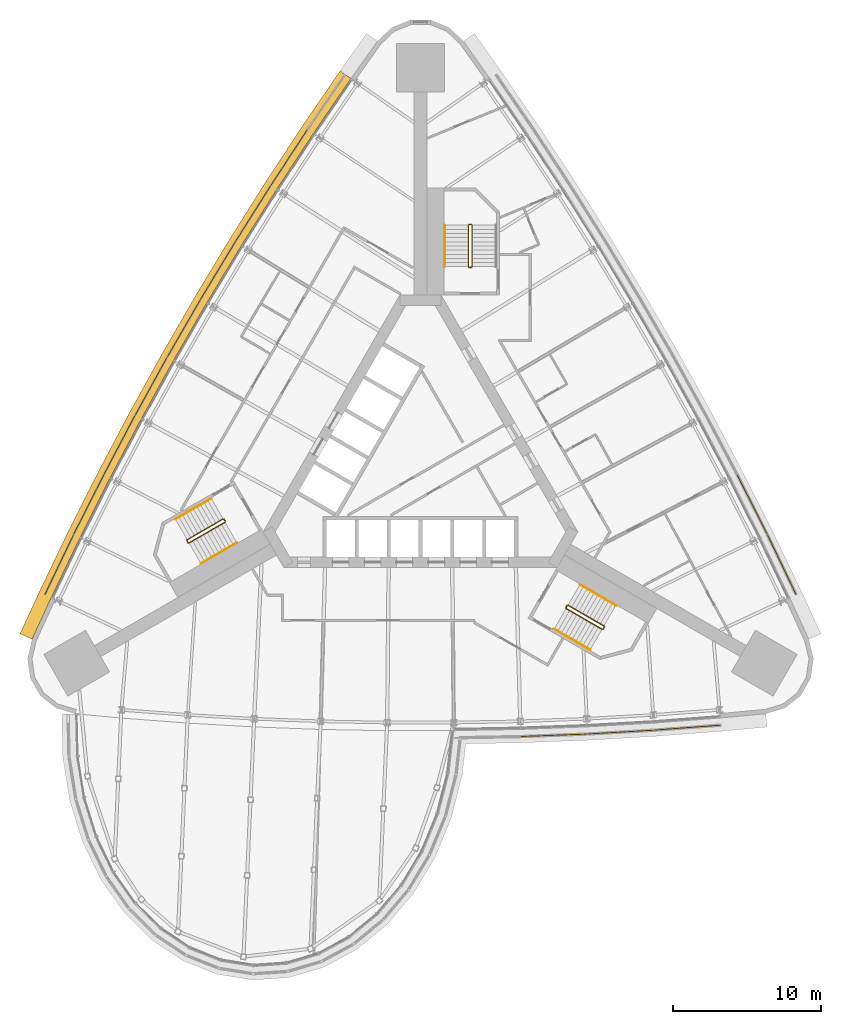
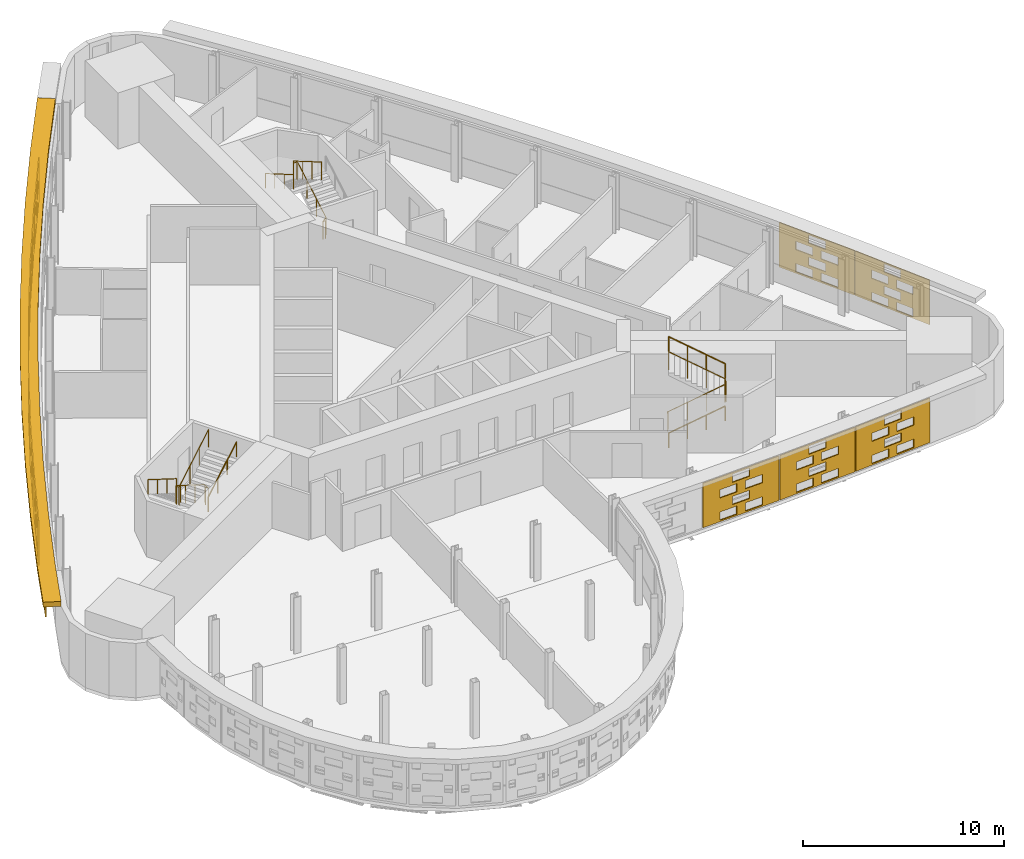
# One storey, part 15 of 16: 14 shading devices, 8 railings.
"""IFC4 building model written with IfcOpenShell, lengths in metres."""

import ifcopenshell
import ifcopenshell.guid

model = None  # the IFC model being written
_history = None  # IfcOwnerHistory: only IFC2X3 demands one
_inside = {}  # id of a spatial element -> (the spatial element, [elements in it])
_under = {}  # id of a project, library or spatial element -> (it, [spatial elements below it])
_declared = {}  # id of a project -> (the project, [libraries it declares])
_typed = {}  # id of a type object -> (the type object, [elements of that type])
_made_of = {}  # id of a material, layer set ... -> (it, [elements and type objects made of it])


def new_model(schema):
    """Start an empty IFC model of exactly this schema.

    Asked for "IFC4X3", IfcOpenShell would pick the latest addendum, in which some entities
    have other attributes; the version numbers below select the first issue.
    IFC2X3 requires an IfcOwnerHistory on every rooted entity: one is made here for all.
    """
    global model, _history
    if schema == "IFC4X3":
        model = ifcopenshell.file(schema_version=(4, 3, 0, 0))
    else:
        model = ifcopenshell.file(schema=schema)
    _inside.clear()
    _under.clear()
    _declared.clear()
    _typed.clear()
    _made_of.clear()
    _history = None
    if model.schema == "IFC2X3":
        org = make("IfcOrganization", Name="unknown")
        user = make(
            "IfcPersonAndOrganization",
            ThePerson=make("IfcPerson", FamilyName="unknown"),
            TheOrganization=org,
        )
        app = make(
            "IfcApplication",
            ApplicationDeveloper=org,
            Version="unknown",
            ApplicationFullName="unknown",
            ApplicationIdentifier="unknown",
        )
        _history = make(
            "IfcOwnerHistory",
            OwningUser=user,
            OwningApplication=app,
            ChangeAction="ADDED",
            CreationDate=0,
        )
    return model


def make(cls, **values):
    """One entity of the class cls with the attributes given. An attribute that is None is left unset."""
    return model.create_entity(
        cls, **{name: value for name, value in values.items() if value is not None}
    )


def rooted(cls, **values):
    """An entity with a GlobalId (a new one), such as an element, a storey or a relation."""
    return make(cls, GlobalId=ifcopenshell.guid.new(), OwnerHistory=_history, **values)


def si_unit(unit_type, name, prefix=None):
    """IfcSIUnit, for example si_unit("LENGTHUNIT", "METRE", prefix="MILLI")."""
    return make("IfcSIUnit", UnitType=unit_type, Prefix=prefix, Name=name)


def assignment(units):
    """IfcUnitAssignment: the units of a project."""
    return None if units is None else make("IfcUnitAssignment", Units=units)


def point(xyz):
    """IfcCartesianPoint."""
    return None if xyz is None else make("IfcCartesianPoint", Coordinates=xyz)


def direction(xyz):
    """IfcDirection."""
    return None if xyz is None else make("IfcDirection", DirectionRatios=xyz)


def frame(location, z_axis=None, x_axis=None):
    """IfcAxis2Placement3D, a coordinate frame: its origin and axes. An axis left out is left unset."""
    return make(
        "IfcAxis2Placement3D",
        Location=point(location),
        Axis=direction(z_axis),
        RefDirection=direction(x_axis),
    )


def frame_2d(location, x_axis=None):
    """IfcAxis2Placement2D, a coordinate frame in the plane: its origin and x axis."""
    return make(
        "IfcAxis2Placement2D", Location=point(location), RefDirection=direction(x_axis)
    )


def origin():
    """The frame at (0, 0, 0) with its axes left unset."""
    return frame((0.0, 0.0, 0.0))


def origin_2d():
    """The frame at (0, 0) in the plane with its x axis left unset."""
    return frame_2d((0.0, 0.0))


def place(relative_to, where):
    """IfcLocalPlacement: puts the frame where relative to a parent placement (None: the world)."""
    return make(
        "IfcLocalPlacement", PlacementRelTo=relative_to, RelativePlacement=where
    )


def context(
    kind, dimensions, precision=None, world=None, true_north=None, identifier=None
):
    """IfcGeometricRepresentationContext, for example the 3D "Model" context."""
    return make(
        "IfcGeometricRepresentationContext",
        ContextIdentifier=identifier,
        ContextType=kind,
        CoordinateSpaceDimension=dimensions,
        Precision=precision,
        WorldCoordinateSystem=world,
        TrueNorth=true_north,
    )


def subcontext(parent, identifier, kind, view, scale=None):
    """IfcGeometricRepresentationSubContext, for example "Body" below "Model"."""
    return make(
        "IfcGeometricRepresentationSubContext",
        ContextIdentifier=identifier,
        ContextType=kind,
        ParentContext=parent,
        TargetScale=scale,
        TargetView=view,
    )


def project(units=None, contexts=None):
    """IfcProject with its units and contexts."""
    return rooted(
        "IfcProject",
        Name="project",
        RepresentationContexts=contexts,
        UnitsInContext=assignment(units),
    )


def spatial(cls, under=None, at=None, **own):
    """A site, building, storey or space (cls), placed at a placement, below another one or the project."""
    s = rooted(cls, ObjectPlacement=at, **own)
    if under is not None:
        _under.setdefault(under.id(), (under, []))[1].append(s)
    return s


def polyline(points):
    """IfcPolyline through the points."""
    return make("IfcPolyline", Points=[point(p) for p in points])


def profile(cls, at=None, kind="AREA", **sizes):
    """A parametric profile (cls). Its sizes go by their IFC names, for example OverallWidth=200.0."""
    return make(cls, ProfileType=kind, Position=at, **sizes)


def circle(**sizes):
    """IfcCircleProfileDef."""
    return profile("IfcCircleProfileDef", **sizes)


def outline(outer, holes=None, kind="AREA"):
    """IfcArbitraryClosedProfileDef: a profile drawn as a closed curve; with holes, ...WithVoids."""
    if holes is None:
        return make("IfcArbitraryClosedProfileDef", ProfileType=kind, OuterCurve=outer)
    return make(
        "IfcArbitraryProfileDefWithVoids",
        ProfileType=kind,
        OuterCurve=outer,
        InnerCurves=holes,
    )


def extrude(swept, where, along, depth):
    """IfcExtrudedAreaSolid: the profile swept, set in the frame where, extruded along a direction by depth."""
    return make(
        "IfcExtrudedAreaSolid",
        SweptArea=swept,
        Position=where,
        ExtrudedDirection=direction(along),
        Depth=depth,
    )


def shape(context_of_items, identifier, shape_type, items):
    """IfcShapeRepresentation: the items that make up one representation, for example the "Body"."""
    return make(
        "IfcShapeRepresentation",
        ContextOfItems=context_of_items,
        RepresentationIdentifier=identifier,
        RepresentationType=shape_type,
        Items=items,
    )


def material(Name=None, Category=None):
    """IfcMaterial."""
    return make("IfcMaterial", Name=Name, Category=Category)


def material_profile(
    of_material, cross_section, Name=None, Category=None, Priority=None
):
    """IfcMaterialProfile: a cross section and its material."""
    return make(
        "IfcMaterialProfile",
        Name=Name,
        Material=of_material,
        Profile=cross_section,
        Priority=Priority,
        Category=Category,
    )


def profile_set(profiles, Name=None, composite=None):
    """IfcMaterialProfileSet."""
    return make(
        "IfcMaterialProfileSet",
        Name=Name,
        MaterialProfiles=profiles,
        CompositeProfile=composite,
    )


def made_of(thing, what):
    """Note that an element or type object is made of a material, layer set ...; save() writes the relation."""
    if what is not None:
        _made_of.setdefault(what.id(), (what, []))[1].append(thing)
    return thing


def type_object(cls, material=None, **own):
    """A type object (cls), such as IfcWallType, which elements share."""
    return made_of(rooted(cls, **own), material)


def element(
    cls,
    number,
    at=None,
    inside=None,
    cuts=None,
    type_object=None,
    material=None,
    context=None,
    identifier="Body",
    shape_type=None,
    held_by="IfcProductDefinitionShape",
    body=None,
    shapes=None,
    **own,
):
    """One element of the class cls, such as IfcWall. Its Tag is "e" and its number.

    at: its placement. inside: the storey or other place that contains it. cuts: it is an
    opening in that element (IfcRelVoidsElement). A single representation is given by context,
    identifier, shape_type and body (its items); several are given by shapes. held_by: the class
    of the entity that holds the representations. save() writes the other relations.
    """
    e = rooted(cls, Tag="e%d" % number, ObjectPlacement=at, **own)
    if body is not None:
        shapes = [shape(context, identifier, shape_type, body)]
    if shapes is not None:
        e.Representation = make(held_by, Representations=shapes)
    if inside is not None:
        _inside.setdefault(inside.id(), (inside, []))[1].append(e)
    if cuts is not None:
        rooted(
            "IfcRelVoidsElement", RelatingBuildingElement=cuts, RelatedOpeningElement=e
        )
    if type_object is not None:
        _typed.setdefault(type_object.id(), (type_object, []))[1].append(e)
    return made_of(e, material)


def aggregate(whole, parts):
    """IfcRelAggregates: a whole, such as a stair, and the parts it consists of."""
    return rooted("IfcRelAggregates", RelatingObject=whole, RelatedObjects=parts)


def save(model, path):
    """Write the relations noted so far, then the file.

    IfcRelAggregates (storeys below a building ...), IfcRelContainedInSpatialStructure (elements
    in a storey), IfcRelDefinesByType, IfcRelAssociatesMaterial and IfcRelDeclares: one each for
    every whole, place, type object, material and project.
    """
    for whole, parts in _under.values():
        aggregate(whole, parts)
    for where, things in _inside.values():
        rooted(
            "IfcRelContainedInSpatialStructure",
            RelatedElements=things,
            RelatingStructure=where,
        )
    for kind, things in _typed.values():
        rooted("IfcRelDefinesByType", RelatedObjects=things, RelatingType=kind)
    for what, things in _made_of.values():
        rooted("IfcRelAssociatesMaterial", RelatedObjects=things, RelatingMaterial=what)
    for by, libraries in _declared.values():
        rooted("IfcRelDeclares", RelatingContext=by, RelatedDefinitions=libraries)
    model.write(path)


model = new_model("IFC4")

# Units and contexts
model_context = context("Model", 3, precision=1e-05, world=origin(), true_north=direction((0.0, 1.0)))
body_context = subcontext(model_context, "Body", "Model", "MODEL_VIEW")
ifc_project = project(units=[si_unit("LENGTHUNIT", "METRE"), si_unit("AREAUNIT", "SQUARE_METRE"), si_unit("VOLUMEUNIT", "CUBIC_METRE"), si_unit("PLANEANGLEUNIT", "RADIAN"), si_unit("MASSUNIT", "GRAM", prefix="KILO")], contexts=[model_context])

# Site, building, storey
site_placement = place(None, origin())
site = spatial("IfcSite", under=ifc_project, at=site_placement, CompositionType="ELEMENT")
building_placement = place(site_placement, origin())
building = spatial("IfcBuilding", under=site, at=building_placement, Name="Noor Cloister Tower", CompositionType="ELEMENT")
storey_placement = place(building_placement, frame((0.0, 0.0, 61.800048828125)))
storey = spatial("IfcBuildingStorey", under=building, at=storey_placement, Name="L15", CompositionType="ELEMENT", Elevation=61.800048828125)

# Shading devices
ifc_material_1 = material(Name="Limestone", Category="masonry")
ifc_material_profile = material_profile(ifc_material_1, outline(polyline([(-2.22998046875, -1.35009765625), (2.22998046875, -1.35009765625), (2.22998046875, 1.35009765625), (-2.22998046875, 1.35009765625), (-2.22998046875, -1.35009765625)]), holes=[polyline([(-1.25, -1.263427734375), (-0.25, -1.263427734375), (-0.25, -0.76171875), (-1.25, -0.76171875), (-1.25, -1.263427734375)]), polyline([(0.25, -1.263427734375), (1.25, -1.263427734375), (1.25, -0.76171875), (0.25, -0.76171875), (0.25, -1.263427734375)]), polyline([(-0.5, -0.58837890625), (0.5, -0.58837890625), (0.5, -0.086669921875), (-0.5, -0.086669921875), (-0.5, -0.58837890625)]), polyline([(-1.25, 0.086669921875), (-0.25, 0.086669921875), (-0.25, 0.58837890625), (-1.25, 0.58837890625), (-1.25, 0.086669921875)]), polyline([(0.25, 0.086669921875), (1.25, 0.086669921875), (1.25, 0.58837890625), (0.25, 0.58837890625), (0.25, 0.086669921875)]), polyline([(-0.5, 0.76171875), (0.5, 0.76171875), (0.5, 1.263427734375), (-0.5, 1.263427734375), (-0.5, 0.76171875)])]), Name="Woven screen 25 percent open")
ifc_profile_set = profile_set([ifc_material_profile], Name="Limestone")
shading_device_type_1 = type_object("IfcShadingDeviceType", Name="SCREEN woven limestone 25 percent open", PredefinedType="USERDEFINED", material=ifc_profile_set)
shading_device_1_placement = place(storey_placement, frame((-8.83544921875, 20.710205078125, 1.849853515625), z_axis=(-0.837041537521, 0.547139346477, 0.0), x_axis=(-0.547139346477, -0.837041537521, 0.0)))
element("IfcShadingDevice", 1, at=shading_device_1_placement, inside=storey, type_object=shading_device_type_1, Name="SCREEN L15 2", ObjectType="SCREEN", PredefinedType="USERDEFINED", context=body_context, shape_type="SweptSolid", body=[
    extrude(outline(polyline([(-2.22998046875, -1.35009765625), (2.22998046875, -1.35009765625), (2.22998046875, 1.35009765625), (-2.22998046875, 1.35009765625), (-2.22998046875, -1.35009765625)]), holes=[polyline([(-1.25, -1.263427734375), (-0.25, -1.263427734375), (-0.25, -0.76171875), (-1.25, -0.76171875), (-1.25, -1.263427734375)]), polyline([(0.25, -1.263427734375), (1.25, -1.263427734375), (1.25, -0.76171875), (0.25, -0.76171875), (0.25, -1.263427734375)]), polyline([(-0.5, -0.58837890625), (0.5, -0.58837890625), (0.5, -0.086669921875), (-0.5, -0.086669921875), (-0.5, -0.58837890625)]), polyline([(-1.25, 0.086669921875), (-0.25, 0.086669921875), (-0.25, 0.58837890625), (-1.25, 0.58837890625), (-1.25, 0.086669921875)]), polyline([(0.25, 0.086669921875), (1.25, 0.086669921875), (1.25, 0.58837890625), (0.25, 0.58837890625), (0.25, 0.086669921875)]), polyline([(-0.5, 0.76171875), (0.5, 0.76171875), (0.5, 1.263427734375), (-0.5, 1.263427734375), (-0.5, 0.76171875)])]), origin(), (0.0, 0.0, 1.0), 0.059814453125),
])
shading_device_2_placement = place(storey_placement, frame((-11.2734375, 16.917724609375, 1.849853515625), z_axis=(-0.846164898331, 0.53292116193, 0.0), x_axis=(-0.53292116193, -0.846164898331, 0.0)))
element("IfcShadingDevice", 2, at=shading_device_2_placement, inside=storey, type_object=shading_device_type_1, Name="SCREEN L15 3", ObjectType="SCREEN", PredefinedType="USERDEFINED", context=body_context, shape_type="SweptSolid", body=[
    extrude(outline(polyline([(-2.22998046875, -1.35009765625), (2.22998046875, -1.35009765625), (2.22998046875, 1.35009765625), (-2.22998046875, 1.35009765625), (-2.22998046875, -1.35009765625)]), holes=[polyline([(-1.25, -1.263427734375), (-0.25, -1.263427734375), (-0.25, -0.76171875), (-1.25, -0.76171875), (-1.25, -1.263427734375)]), polyline([(0.25, -1.263427734375), (1.25, -1.263427734375), (1.25, -0.76171875), (0.25, -0.76171875), (0.25, -1.263427734375)]), polyline([(-0.5, -0.58837890625), (0.5, -0.58837890625), (0.5, -0.086669921875), (-0.5, -0.086669921875), (-0.5, -0.58837890625)]), polyline([(-1.25, 0.086669921875), (-0.25, 0.086669921875), (-0.25, 0.58837890625), (-1.25, 0.58837890625), (-1.25, 0.086669921875)]), polyline([(0.25, 0.086669921875), (1.25, 0.086669921875), (1.25, 0.58837890625), (0.25, 0.58837890625), (0.25, 0.086669921875)]), polyline([(-0.5, 0.76171875), (0.5, 0.76171875), (0.5, 1.263427734375), (-0.5, 1.263427734375), (-0.5, 0.76171875)])]), origin(), (0.0, 0.0, 1.0), 0.06005859375),
])
shading_device_3_placement = place(storey_placement, frame((-13.638427734375, 13.07958984375, 1.849853515625), z_axis=(-0.855690023312, 0.517488728384, 0.0), x_axis=(-0.517488728384, -0.855690023312, 0.0)))
element("IfcShadingDevice", 3, at=shading_device_3_placement, inside=storey, type_object=shading_device_type_1, Name="SCREEN L15 4", ObjectType="SCREEN", PredefinedType="USERDEFINED", context=body_context, shape_type="SweptSolid", body=[
    extrude(outline(polyline([(-2.22998046875, -1.35009765625), (2.22998046875, -1.35009765625), (2.22998046875, 1.35009765625), (-2.22998046875, 1.35009765625), (-2.22998046875, -1.35009765625)]), holes=[polyline([(-1.25, -1.263427734375), (-0.25, -1.263427734375), (-0.25, -0.76171875), (-1.25, -0.76171875), (-1.25, -1.263427734375)]), polyline([(0.25, -1.263427734375), (1.25, -1.263427734375), (1.25, -0.76171875), (0.25, -0.76171875), (0.25, -1.263427734375)]), polyline([(-0.5, -0.58837890625), (0.5, -0.58837890625), (0.5, -0.086669921875), (-0.5, -0.086669921875), (-0.5, -0.58837890625)]), polyline([(-1.25, 0.086669921875), (-0.25, 0.086669921875), (-0.25, 0.58837890625), (-1.25, 0.58837890625), (-1.25, 0.086669921875)]), polyline([(0.25, 0.086669921875), (1.25, 0.086669921875), (1.25, 0.58837890625), (0.25, 0.58837890625), (0.25, 0.086669921875)]), polyline([(-0.5, 0.76171875), (0.5, 0.76171875), (0.5, 1.263427734375), (-0.5, 1.263427734375), (-0.5, 0.76171875)])]), origin(), (0.0, 0.0, 1.0), 0.059814453125),
])
shading_device_4_placement = place(storey_placement, frame((-15.9296875, 9.197021484375, 1.849853515625), z_axis=(-0.865982457891, 0.500074377092, 0.0), x_axis=(-0.500074377092, -0.865982457891, 0.0)))
element("IfcShadingDevice", 4, at=shading_device_4_placement, inside=storey, type_object=shading_device_type_1, Name="SCREEN L15 5", ObjectType="SCREEN", PredefinedType="USERDEFINED", context=body_context, shape_type="SweptSolid", body=[
    extrude(outline(polyline([(-2.22998046875, -1.35009765625), (2.22998046875, -1.35009765625), (2.22998046875, 1.35009765625), (-2.22998046875, 1.35009765625), (-2.22998046875, -1.35009765625)]), holes=[polyline([(-1.25, -1.263427734375), (-0.25, -1.263427734375), (-0.25, -0.76171875), (-1.25, -0.76171875), (-1.25, -1.263427734375)]), polyline([(0.25, -1.263427734375), (1.25, -1.263427734375), (1.25, -0.76171875), (0.25, -0.76171875), (0.25, -1.263427734375)]), polyline([(-0.5, -0.58837890625), (0.5, -0.58837890625), (0.5, -0.086669921875), (-0.5, -0.086669921875), (-0.5, -0.58837890625)]), polyline([(-1.25, 0.086669921875), (-0.25, 0.086669921875), (-0.25, 0.58837890625), (-1.25, 0.58837890625), (-1.25, 0.086669921875)]), polyline([(0.25, 0.086669921875), (1.25, 0.086669921875), (1.25, 0.58837890625), (0.25, 0.58837890625), (0.25, 0.086669921875)]), polyline([(-0.5, 0.76171875), (0.5, 0.76171875), (0.5, 1.263427734375), (-0.5, 1.263427734375), (-0.5, 0.76171875)])]), origin(), (0.0, 0.0, 1.0), 0.06005859375),
])
shading_device_5_placement = place(storey_placement, frame((-18.146484375, 5.271484375, 1.849853515625), z_axis=(-0.876645997325, 0.481135942718, 0.0), x_axis=(-0.481135942718, -0.876645997325, 0.0)))
element("IfcShadingDevice", 5, at=shading_device_5_placement, inside=storey, type_object=shading_device_type_1, Name="SCREEN L15 6", ObjectType="SCREEN", PredefinedType="USERDEFINED", context=body_context, shape_type="SweptSolid", body=[
    extrude(outline(polyline([(-2.22998046875, -1.35009765625), (2.22998046875, -1.35009765625), (2.22998046875, 1.35009765625), (-2.22998046875, 1.35009765625), (-2.22998046875, -1.35009765625)]), holes=[polyline([(-1.25, -1.263427734375), (-0.25, -1.263427734375), (-0.25, -0.76171875), (-1.25, -0.76171875), (-1.25, -1.263427734375)]), polyline([(0.25, -1.263427734375), (1.25, -1.263427734375), (1.25, -0.76171875), (0.25, -0.76171875), (0.25, -1.263427734375)]), polyline([(-0.5, -0.58837890625), (0.5, -0.58837890625), (0.5, -0.086669921875), (-0.5, -0.086669921875), (-0.5, -0.58837890625)]), polyline([(-1.25, 0.086669921875), (-0.25, 0.086669921875), (-0.25, 0.58837890625), (-1.25, 0.58837890625), (-1.25, 0.086669921875)]), polyline([(0.25, 0.086669921875), (1.25, 0.086669921875), (1.25, 0.58837890625), (0.25, 0.58837890625), (0.25, 0.086669921875)]), polyline([(-0.5, 0.76171875), (0.5, 0.76171875), (0.5, 1.263427734375), (-0.5, 1.263427734375), (-0.5, 0.76171875)])]), origin(), (0.0, 0.0, 1.0), 0.059814453125),
])
for number, where, z_axis, x_axis, name in (
    (6, (-20.287841796875, 1.30419921875, 1.849853515625), (-0.886149575817, 0.463399319464, 0.0), (-0.463399319464, -0.886149575817, 0.0), "SCREEN L15 7"),
    (7, (-22.353271484375, -2.703369140625, 1.849853515625), (-0.891970083601, 0.452094425935, 0.0), (-0.452094425935, -0.891970083601, 0.0), "SCREEN L15 8"),
    (8, (-24.341552734375, -6.74951171875, 1.849853515625), (-0.902409201061, 0.430880068975, 0.0), (-0.430880068975, -0.902409201061, 0.0), "SCREEN L15 9"),
    (9, (9.0146484375, -18.221923828125, 1.849853515625), (0.036560905851, -0.999331426586, 0.0), (0.999331426586, 0.036560905851, 0.0), "SCREEN L15 20"),
):
    element("IfcShadingDevice", number, at=place(storey_placement, frame(where, z_axis=z_axis, x_axis=x_axis)), inside=storey, type_object=shading_device_type_1, Name=name, ObjectType="SCREEN", PredefinedType="USERDEFINED", context=body_context, shape_type="SweptSolid", body=[
        extrude(outline(polyline([(-2.22998046875, -1.35009765625), (2.22998046875, -1.35009765625), (2.22998046875, 1.35009765625), (-2.22998046875, 1.35009765625), (-2.22998046875, -1.35009765625)]), holes=[polyline([(-1.25, -1.263427734375), (-0.25, -1.263427734375), (-0.25, -0.76171875), (-1.25, -0.76171875), (-1.25, -1.263427734375)]), polyline([(0.25, -1.263427734375), (1.25, -1.263427734375), (1.25, -0.76171875), (0.25, -0.76171875), (0.25, -1.263427734375)]), polyline([(-0.5, -0.58837890625), (0.5, -0.58837890625), (0.5, -0.086669921875), (-0.5, -0.086669921875), (-0.5, -0.58837890625)]), polyline([(-1.25, 0.086669921875), (-0.25, 0.086669921875), (-0.25, 0.58837890625), (-1.25, 0.58837890625), (-1.25, 0.086669921875)]), polyline([(0.25, 0.086669921875), (1.25, 0.086669921875), (1.25, 0.58837890625), (0.25, 0.58837890625), (0.25, 0.086669921875)]), polyline([(-0.5, 0.76171875), (0.5, 0.76171875), (0.5, 1.263427734375), (-0.5, 1.263427734375), (-0.5, 0.76171875)])]), origin(), (0.0, 0.0, 1.0), 0.06005859375),
    ])
shading_device_6_placement = place(storey_placement, frame((13.517822265625, -18.0068359375, 1.849853515625), z_axis=(0.057049790539, -0.998371334424, 0.0), x_axis=(0.998371334424, 0.057049790539, 0.0)))
element("IfcShadingDevice", 10, at=shading_device_6_placement, inside=storey, type_object=shading_device_type_1, Name="SCREEN L15 21", ObjectType="SCREEN", PredefinedType="USERDEFINED", context=body_context, shape_type="SweptSolid", body=[
    extrude(outline(polyline([(-2.22998046875, -1.35009765625), (2.22998046875, -1.35009765625), (2.22998046875, 1.35009765625), (-2.22998046875, 1.35009765625), (-2.22998046875, -1.35009765625)]), holes=[polyline([(-1.25, -1.263427734375), (-0.25, -1.263427734375), (-0.25, -0.76171875), (-1.25, -0.76171875), (-1.25, -1.263427734375)]), polyline([(0.25, -1.263427734375), (1.25, -1.263427734375), (1.25, -0.76171875), (0.25, -0.76171875), (0.25, -1.263427734375)]), polyline([(-0.5, -0.58837890625), (0.5, -0.58837890625), (0.5, -0.086669921875), (-0.5, -0.086669921875), (-0.5, -0.58837890625)]), polyline([(-1.25, 0.086669921875), (-0.25, 0.086669921875), (-0.25, 0.58837890625), (-1.25, 0.58837890625), (-1.25, 0.086669921875)]), polyline([(0.25, 0.086669921875), (1.25, 0.086669921875), (1.25, 0.58837890625), (0.25, 0.58837890625), (0.25, 0.086669921875)]), polyline([(-0.5, 0.76171875), (0.5, 0.76171875), (0.5, 1.263427734375), (-0.5, 1.263427734375), (-0.5, 0.76171875)])]), origin(), (0.0, 0.0, 1.0), 0.059814453125),
])
for number, where, z_axis, x_axis, name in (
    (11, (18.01611328125, -17.70556640625, 1.849853515625), (0.073271902152, -0.99731200151, 0.0), (0.99731200151, 0.073271902152, 0.0), "SCREEN L15 22"),
    (12, (24.341552734375, -6.74951171875, 1.849853515625), (0.902409201061, 0.430880068975, 0.0), (-0.430880068975, 0.902409201061, 0.0), "SCREEN L15 1"),
    (13, (22.353271484375, -2.703369140625, 1.849853515625), (0.891970083601, 0.452094425935, 0.0), (-0.452094425935, 0.891970083601, 0.0), "SCREEN L15 2"),
):
    element("IfcShadingDevice", number, at=place(storey_placement, frame(where, z_axis=z_axis, x_axis=x_axis)), inside=storey, type_object=shading_device_type_1, Name=name, ObjectType="SCREEN", PredefinedType="USERDEFINED", context=body_context, shape_type="SweptSolid", body=[
        extrude(outline(polyline([(-2.22998046875, -1.35009765625), (2.22998046875, -1.35009765625), (2.22998046875, 1.35009765625), (-2.22998046875, 1.35009765625), (-2.22998046875, -1.35009765625)]), holes=[polyline([(-1.25, -1.263427734375), (-0.25, -1.263427734375), (-0.25, -0.76171875), (-1.25, -0.76171875), (-1.25, -1.263427734375)]), polyline([(0.25, -1.263427734375), (1.25, -1.263427734375), (1.25, -0.76171875), (0.25, -0.76171875), (0.25, -1.263427734375)]), polyline([(-0.5, -0.58837890625), (0.5, -0.58837890625), (0.5, -0.086669921875), (-0.5, -0.086669921875), (-0.5, -0.58837890625)]), polyline([(-1.25, 0.086669921875), (-0.25, 0.086669921875), (-0.25, 0.58837890625), (-1.25, 0.58837890625), (-1.25, 0.086669921875)]), polyline([(0.25, 0.086669921875), (1.25, 0.086669921875), (1.25, 0.58837890625), (0.25, 0.58837890625), (0.25, 0.086669921875)]), polyline([(-0.5, 0.76171875), (0.5, 0.76171875), (0.5, 1.263427734375), (-0.5, 1.263427734375), (-0.5, 0.76171875)])]), origin(), (0.0, 0.0, 1.0), 0.06005859375),
    ])
ifc_material_2 = material(Name="Limestone", Category="masonry")
shading_device_type_2 = type_object("IfcShadingDeviceType", Name="SUNSHADE limestone band 900", PredefinedType="USERDEFINED", material=ifc_material_2)
shading_device_7_placement = place(storey_placement, frame((0.0, 0.0, 3.300048828125)))
element("IfcShadingDevice", 14, at=shading_device_7_placement, inside=storey, type_object=shading_device_type_2, Name="SUNSHADE L15 1", ObjectType="SUNSHADE", PredefinedType="USERDEFINED", context=body_context, shape_type="SweptSolid", body=[
    extrude(outline(polyline([(-5.426513671875, 26.566162109375), (-7.97216796875, 22.84521484375), (-10.450927734375, 19.06884765625), (-12.857421875, 15.24609375), (-15.190185546875, 11.3779296875), (-17.44873046875, 7.466064453125), (-19.632080078125, 3.51171875), (-21.73974609375, -0.483642578125), (-23.7705078125, -4.5185546875), (-25.723388671875, -8.590087890625), (-27.015869140625, -11.399658203125), (-26.1982421875, -11.77587890625), (-24.908935546875, -8.972900390625), (-22.962890625, -4.91552734375), (-20.939697265625, -0.89599609375), (-18.840087890625, 3.084228515625), (-16.6650390625, 7.0234375), (-14.4150390625, 10.920654296875), (-12.091064453125, 14.77392578125), (-9.69384765625, 18.582275390625), (-7.224609375, 22.343994140625), (-4.683837890625, 26.05810546875), (-5.426513671875, 26.566162109375)])), origin(), (0.0, 0.0, 1.0), 0.2998046875),
])

# Railings
ifc_material_3 = material(Name="Stainless steel", Category="steel")
railing_type_1 = type_object("IfcRailingType", Name="Stair guard 1100", PredefinedType="GUARDRAIL", material=ifc_material_3)
railing_1_placement = place(storey_placement, frame((3.435546875, 13.306396484375, 0.0)))
element("IfcRailing", 15, at=railing_1_placement, inside=storey, type_object=railing_type_1, Name="Stair guard ST1 L15", PredefinedType="GUARDRAIL", context=body_context, shape_type="SweptSolid", body=[
    extrude(circle(Radius=0.02392578125, at=origin_2d()), frame((0.0, 0.0, 1.076171875), z_axis=(-1.0, 0.0, 0.0), x_axis=(0.0, -1.0, 0.0)), (0.0, 0.0, 1.0), 0.14990234375),
    extrude(circle(Radius=0.02392578125, at=origin_2d()), frame((-0.14990234375, 0.0, 1.076171875), z_axis=(0.759870394187, 0.190199549216, 0.621627795), x_axis=(-0.242814311512, 0.970072785993, 0.0)), (0.0, 0.0, 1.0), 0.26318359375),
    extrude(circle(Radius=0.02392578125, at=origin_2d()), frame((0.050048828125, 0.050048828125, 1.23974609375), z_axis=(0.0, 0.863360870873, 0.504586966384), x_axis=(-1.0, 0.0, 0.0)), (0.0, 0.0, 1.0), 3.2431640625),
    extrude(circle(Radius=0.02392578125, at=origin_2d()), frame((0.050048828125, 2.85009765625, 2.8759765625), z_axis=(-0.708833529934, 0.705375805398, 0.0), x_axis=(-0.705375805398, -0.708833529934, 0.0)), (0.0, 0.0, 1.0), 0.070556640625),
    extrude(circle(Radius=0.02392578125, at=origin_2d()), frame((0.0, 2.89990234375, 2.8759765625), z_axis=(-1.0, 0.0, 0.0), x_axis=(0.0, -1.0, 0.0)), (0.0, 0.0, 1.0), 0.14990234375),
    extrude(circle(Radius=0.02392578125, at=origin_2d()), frame((-0.14990234375, 2.89990234375, 2.8759765625), z_axis=(-0.280916556609, -0.279546231943, 0.91811752648), x_axis=(0.705375805398, -0.708833529934, 0.0)), (0.0, 0.0, 1.0), 0.17822265625),
    extrude(circle(Radius=0.02392578125, at=origin_2d()), frame((-0.199951171875, 2.85009765625, 3.03955078125), z_axis=(0.0, -0.863393664356, 0.504530851732), x_axis=(1.0, 0.0, 0.0)), (0.0, 0.0, 1.0), 3.2431640625),
    extrude(circle(Radius=0.02099609375, at=origin_2d()), origin(), (0.0, 0.0, 1.0), 1.052001953125),
    extrude(circle(Radius=0.02099609375, at=origin_2d()), frame((-0.14990234375, 0.0, 0.0)), (0.0, 0.0, 1.0), 1.052001953125),
    extrude(circle(Radius=0.02099609375, at=origin_2d()), frame((0.050048828125, 0.050048828125, 0.16357421875)), (0.0, 0.0, 1.0), 1.052001953125),
    extrude(circle(Radius=0.02099609375, at=origin_2d()), frame((0.050048828125, 0.9833984375, 0.708984375)), (0.0, 0.0, 1.0), 1.052001953125),
    extrude(circle(Radius=0.02099609375, at=origin_2d()), frame((0.050048828125, 1.916748046875, 1.254638671875)), (0.0, 0.0, 1.0), 1.052001953125),
    extrude(circle(Radius=0.02099609375, at=origin_2d()), frame((0.050048828125, 2.85009765625, 1.800048828125)), (0.0, 0.0, 1.0), 1.052001953125),
    extrude(circle(Radius=0.02099609375, at=origin_2d()), frame((0.0, 2.89990234375, 1.800048828125)), (0.0, 0.0, 1.0), 1.052001953125),
    extrude(circle(Radius=0.02099609375, at=origin_2d()), frame((-0.14990234375, 2.89990234375, 1.800048828125)), (0.0, 0.0, 1.0), 1.052001953125),
    extrude(circle(Radius=0.02099609375, at=origin_2d()), frame((-0.199951171875, 2.85009765625, 1.963623046875)), (0.0, 0.0, 1.0), 1.052001953125),
    extrude(circle(Radius=0.02099609375, at=origin_2d()), frame((-0.199951171875, 1.916748046875, 2.509033203125)), (0.0, 0.0, 1.0), 1.052001953125),
    extrude(circle(Radius=0.02099609375, at=origin_2d()), frame((-0.199951171875, 0.9833984375, 3.054443359375)), (0.0, 0.0, 1.0), 1.052001953125),
    extrude(circle(Radius=0.02099609375, at=origin_2d()), frame((-0.199951171875, 0.050048828125, 3.599853515625)), (0.0, 0.0, 1.0), 1.052001953125),
])
railing_2_placement = place(storey_placement, frame((-13.241455078125, -3.677734375, 0.0)))
element("IfcRailing", 16, at=railing_2_placement, inside=storey, type_object=railing_type_1, Name="Stair guard ST2 L15", PredefinedType="GUARDRAIL", context=body_context, shape_type="SweptSolid", body=[
    extrude(circle(Radius=0.02392578125, at=origin_2d()), frame((0.0, 0.0, 1.076171875), z_axis=(0.499112439033, -0.866537231285, 0.0), x_axis=(0.866537231285, 0.499112439033, 0.0)), (0.0, 0.0, 1.0), 0.150146484375),
    extrude(circle(Radius=0.02392578125, at=origin_2d()), frame((0.074951171875, -0.130126953125, 1.076171875), z_axis=(-0.544565797804, 0.563119998752, 0.621565731736), x_axis=(-0.718850276695, -0.695164929852, 0.0)), (0.0, 0.0, 1.0), 0.26318359375),
    extrude(circle(Radius=0.02392578125, at=origin_2d()), frame((-0.068359375, 0.01806640625, 1.23974609375), z_axis=(-0.747689811644, -0.431660630283, 0.504607813879), x_axis=(0.49998411664, -0.866034573852, 0.0)), (0.0, 0.0, 1.0), 3.2431640625),
    extrude(circle(Radius=0.02392578125, at=origin_2d()), frame((-2.4931640625, -1.3818359375, 2.8759765625), z_axis=(-0.258736085224, -0.965948051503, 0.0), x_axis=(0.965948051503, -0.258736085224, 0.0)), (0.0, 0.0, 1.0), 0.07080078125),
    extrude(circle(Radius=0.02392578125, at=origin_2d()), frame((-2.511474609375, -1.4501953125, 2.8759765625), z_axis=(0.499816412211, -0.866131372301, 0.0), x_axis=(0.866131372301, 0.499816412211, 0.0)), (0.0, 0.0, 1.0), 0.14990234375),
    extrude(circle(Radius=0.02392578125, at=origin_2d()), frame((-2.4365234375, -1.580078125, 2.8759765625), z_axis=(0.383552647116, -0.102737316192, 0.917786691313), x_axis=(0.258736085224, 0.965948051503, 0.0)), (0.0, 0.0, 1.0), 0.17822265625),
    extrude(circle(Radius=0.02392578125, at=origin_2d()), frame((-2.3681640625, -1.598388671875, 3.03955078125), z_axis=(0.747693913401, 0.431738279637, 0.504535300807), x_axis=(-0.500049511043, 0.865996816683, 0.0)), (0.0, 0.0, 1.0), 3.2431640625),
    extrude(circle(Radius=0.02099609375, at=origin_2d()), origin(), (0.0, 0.0, 1.0), 1.052001953125),
    extrude(circle(Radius=0.02099609375, at=origin_2d()), frame((0.074951171875, -0.130126953125, 0.0)), (0.0, 0.0, 1.0), 1.052001953125),
    extrude(circle(Radius=0.02099609375, at=origin_2d()), frame((-0.068359375, 0.01806640625, 0.16357421875)), (0.0, 0.0, 1.0), 1.052001953125),
    extrude(circle(Radius=0.02099609375, at=origin_2d()), frame((-0.876708984375, -0.448486328125, 0.708984375)), (0.0, 0.0, 1.0), 1.052001953125),
    extrude(circle(Radius=0.02099609375, at=origin_2d()), frame((-1.684814453125, -0.915283203125, 1.254638671875)), (0.0, 0.0, 1.0), 1.052001953125),
    extrude(circle(Radius=0.02099609375, at=origin_2d()), frame((-2.4931640625, -1.3818359375, 1.800048828125)), (0.0, 0.0, 1.0), 1.052001953125),
    extrude(circle(Radius=0.02099609375, at=origin_2d()), frame((-2.511474609375, -1.4501953125, 1.800048828125)), (0.0, 0.0, 1.0), 1.052001953125),
    extrude(circle(Radius=0.02099609375, at=origin_2d()), frame((-2.4365234375, -1.580078125, 1.800048828125)), (0.0, 0.0, 1.0), 1.052001953125),
    extrude(circle(Radius=0.02099609375, at=origin_2d()), frame((-2.3681640625, -1.598388671875, 1.963623046875)), (0.0, 0.0, 1.0), 1.052001953125),
    extrude(circle(Radius=0.02099609375, at=origin_2d()), frame((-1.559814453125, -1.131591796875, 2.509033203125)), (0.0, 0.0, 1.0), 1.052001953125),
    extrude(circle(Radius=0.02099609375, at=origin_2d()), frame((-0.751708984375, -0.6650390625, 3.054443359375)), (0.0, 0.0, 1.0), 1.052001953125),
    extrude(circle(Radius=0.02099609375, at=origin_2d()), frame((0.056640625, -0.1982421875, 3.599853515625)), (0.0, 0.0, 1.0), 1.052001953125),
])
railing_3_placement = place(storey_placement, frame((9.805908203125, -9.628662109375, 0.0)))
element("IfcRailing", 17, at=railing_3_placement, inside=storey, type_object=railing_type_1, Name="Stair guard ST3 L15", PredefinedType="GUARDRAIL", context=body_context, shape_type="SweptSolid", body=[
    extrude(circle(Radius=0.02392578125, at=origin_2d()), frame((0.0, 0.0, 1.076171875), z_axis=(0.499112439033, 0.866537231285, 0.0), x_axis=(-0.866537231285, 0.499112439033, 0.0)), (0.0, 0.0, 1.0), 0.150146484375),
    extrude(circle(Radius=0.02392578125, at=origin_2d()), frame((0.074951171875, 0.130126953125, 1.076171875), z_axis=(-0.215214839654, -0.753251938789, 0.621525614518), x_axis=(0.961523947641, -0.274721127897, 0.0)), (0.0, 0.0, 1.0), 0.26318359375),
    extrude(circle(Radius=0.02392578125, at=origin_2d()), frame((0.018310546875, -0.068115234375, 1.23974609375), z_axis=(0.747665513933, -0.431721881032, 0.504591415616), x_axis=(0.500049511043, 0.865996816683, 0.0)), (0.0, 0.0, 1.0), 3.2431640625),
    extrude(circle(Radius=0.02392578125, at=origin_2d()), frame((2.443115234375, -1.46826171875, 2.8759765625), z_axis=(0.965948051503, 0.258736085224, 0.0), x_axis=(-0.258736085224, 0.965948051503, 0.0)), (0.0, 0.0, 1.0), 0.07080078125),
    extrude(circle(Radius=0.02392578125, at=origin_2d()), frame((2.511474609375, -1.449951171875, 2.8759765625), z_axis=(0.499816412211, 0.866131372301, 0.0), x_axis=(-0.866131372301, 0.499816412211, 0.0)), (0.0, 0.0, 1.0), 0.14990234375),
    extrude(circle(Radius=0.02392578125, at=origin_2d()), frame((2.58642578125, -1.320068359375, 2.8759765625), z_axis=(-0.102737316192, 0.383552647116, 0.917786691313), x_axis=(-0.965948051503, -0.258736085224, 0.0)), (0.0, 0.0, 1.0), 0.17822265625),
    extrude(circle(Radius=0.02392578125, at=origin_2d()), frame((2.568115234375, -1.251708984375, 3.03955078125), z_axis=(-0.74771821388, 0.431677027627, 0.504551698492), x_axis=(-0.49998411664, -0.866034573852, 0.0)), (0.0, 0.0, 1.0), 3.242919921875),
    extrude(circle(Radius=0.02099609375, at=origin_2d()), origin(), (0.0, 0.0, 1.0), 1.052001953125),
    extrude(circle(Radius=0.02099609375, at=origin_2d()), frame((0.074951171875, 0.130126953125, 0.0)), (0.0, 0.0, 1.0), 1.052001953125),
    extrude(circle(Radius=0.02099609375, at=origin_2d()), frame((0.018310546875, -0.068115234375, 0.16357421875)), (0.0, 0.0, 1.0), 1.052001953125),
    extrude(circle(Radius=0.02099609375, at=origin_2d()), frame((0.82666015625, -0.534912109375, 0.708984375)), (0.0, 0.0, 1.0), 1.052001953125),
    extrude(circle(Radius=0.02099609375, at=origin_2d()), frame((1.634765625, -1.00146484375, 1.254638671875)), (0.0, 0.0, 1.0), 1.052001953125),
    extrude(circle(Radius=0.02099609375, at=origin_2d()), frame((2.443115234375, -1.46826171875, 1.800048828125)), (0.0, 0.0, 1.0), 1.052001953125),
    extrude(circle(Radius=0.02099609375, at=origin_2d()), frame((2.511474609375, -1.449951171875, 1.800048828125)), (0.0, 0.0, 1.0), 1.052001953125),
    extrude(circle(Radius=0.02099609375, at=origin_2d()), frame((2.58642578125, -1.320068359375, 1.800048828125)), (0.0, 0.0, 1.0), 1.052001953125),
    extrude(circle(Radius=0.02099609375, at=origin_2d()), frame((2.568115234375, -1.251708984375, 1.963623046875)), (0.0, 0.0, 1.0), 1.052001953125),
    extrude(circle(Radius=0.02099609375, at=origin_2d()), frame((1.759765625, -0.78515625, 2.509033203125)), (0.0, 0.0, 1.0), 1.052001953125),
    extrude(circle(Radius=0.02099609375, at=origin_2d()), frame((0.95166015625, -0.318359375, 3.054443359375)), (0.0, 0.0, 1.0), 1.052001953125),
    extrude(circle(Radius=0.02099609375, at=origin_2d()), frame((0.143310546875, 0.148193359375, 3.599853515625)), (0.0, 0.0, 1.0), 1.052001953125),
])
ifc_material_4 = material(Name="Stainless steel", Category="steel")
railing_type_2 = type_object("IfcRailingType", Name="Stair handrail 900", PredefinedType="HANDRAIL", material=ifc_material_4)
railing_4_placement = place(storey_placement, frame((1.6357421875, 16.156494140625, 1.963623046875)))
element("IfcRailing", 18, at=railing_4_placement, inside=storey, type_object=railing_type_2, Name="Stair handrail ST1 L15 2", PredefinedType="HANDRAIL", context=body_context, shape_type="SweptSolid", body=[
    extrude(circle(Radius=0.02392578125, at=origin_2d()), frame((0.0, 0.0, 0.8759765625), z_axis=(0.0, -0.863393664356, 0.504530851732), x_axis=(1.0, 0.0, 0.0)), (0.0, 0.0, 1.0), 3.2431640625),
    extrude(circle(Radius=0.02099609375, at=origin_2d()), origin(), (0.0, 0.0, 1.0), 0.851806640625),
    extrude(circle(Radius=0.02099609375, at=origin_2d()), frame((0.0, -0.933349609375, 0.54541015625)), (0.0, 0.0, 1.0), 0.851806640625),
    extrude(circle(Radius=0.02099609375, at=origin_2d()), frame((0.0, -1.86669921875, 1.0908203125)), (0.0, 0.0, 1.0), 0.851806640625),
    extrude(circle(Radius=0.02099609375, at=origin_2d()), frame((0.0, -2.800048828125, 1.63623046875)), (0.0, 0.0, 1.0), 0.851806640625),
])
railing_5_placement = place(storey_placement, frame((-14.10986328125, -2.27392578125, 0.16357421875)))
element("IfcRailing", 19, at=railing_5_placement, inside=storey, type_object=railing_type_2, Name="Stair handrail ST2 L15 1", PredefinedType="HANDRAIL", context=body_context, shape_type="SweptSolid", body=[
    extrude(circle(Radius=0.02392578125, at=origin_2d()), frame((0.0, 0.0, 0.8759765625), z_axis=(-0.747689811644, -0.431660630283, 0.504607813879), x_axis=(0.49998411664, -0.866034573852, 0.0)), (0.0, 0.0, 1.0), 3.2431640625),
    extrude(circle(Radius=0.02099609375, at=origin_2d()), origin(), (0.0, 0.0, 1.0), 0.851806640625),
    extrude(circle(Radius=0.02099609375, at=origin_2d()), frame((-0.808349609375, -0.466552734375, 0.54541015625)), (0.0, 0.0, 1.0), 0.851806640625),
    extrude(circle(Radius=0.02099609375, at=origin_2d()), frame((-1.616455078125, -0.933349609375, 1.091064453125)), (0.0, 0.0, 1.0), 0.851806640625),
    extrude(circle(Radius=0.02099609375, at=origin_2d()), frame((-2.4248046875, -1.39990234375, 1.636474609375)), (0.0, 0.0, 1.0), 0.851806640625),
])
railing_6_placement = place(storey_placement, frame((-14.8095703125, -6.66162109375, 1.963623046875)))
element("IfcRailing", 20, at=railing_6_placement, inside=storey, type_object=railing_type_2, Name="Stair handrail ST2 L15 2", PredefinedType="HANDRAIL", context=body_context, shape_type="SweptSolid", body=[
    extrude(circle(Radius=0.02392578125, at=origin_2d()), frame((0.0, 0.0, 0.8759765625), z_axis=(0.74771821388, 0.431677027627, 0.504551698492), x_axis=(-0.49998411664, 0.866034573852, 0.0)), (0.0, 0.0, 1.0), 3.242919921875),
    extrude(circle(Radius=0.02099609375, at=origin_2d()), origin(), (0.0, 0.0, 1.0), 0.851806640625),
    extrude(circle(Radius=0.02099609375, at=origin_2d()), frame((0.808349609375, 0.466552734375, 0.54541015625)), (0.0, 0.0, 1.0), 0.851806640625),
    extrude(circle(Radius=0.02099609375, at=origin_2d()), frame((1.616455078125, 0.933349609375, 1.0908203125)), (0.0, 0.0, 1.0), 0.851806640625),
    extrude(circle(Radius=0.02099609375, at=origin_2d()), frame((2.4248046875, 1.39990234375, 1.63623046875)), (0.0, 0.0, 1.0), 0.851806640625),
])
railing_7_placement = place(storey_placement, frame((9.024169921875, -11.08251953125, 0.16357421875)))
element("IfcRailing", 21, at=railing_7_placement, inside=storey, type_object=railing_type_2, Name="Stair handrail ST3 L15 1", PredefinedType="HANDRAIL", context=body_context, shape_type="SweptSolid", body=[
    extrude(circle(Radius=0.02392578125, at=origin_2d()), frame((0.0, 0.0, 0.8759765625), z_axis=(0.747689811644, -0.431660630283, 0.504607813879), x_axis=(0.49998411664, 0.866034573852, 0.0)), (0.0, 0.0, 1.0), 3.2431640625),
    extrude(circle(Radius=0.02099609375, at=origin_2d()), origin(), (0.0, 0.0, 1.0), 0.851806640625),
    extrude(circle(Radius=0.02099609375, at=origin_2d()), frame((0.808349609375, -0.466552734375, 0.54541015625)), (0.0, 0.0, 1.0), 0.851806640625),
    extrude(circle(Radius=0.02099609375, at=origin_2d()), frame((1.616455078125, -0.933349609375, 1.091064453125)), (0.0, 0.0, 1.0), 0.851806640625),
    extrude(circle(Radius=0.02099609375, at=origin_2d()), frame((2.4248046875, -1.39990234375, 1.636474609375)), (0.0, 0.0, 1.0), 0.851806640625),
])
railing_8_placement = place(storey_placement, frame((13.174072265625, -9.49462890625, 1.963623046875)))
element("IfcRailing", 22, at=railing_8_placement, inside=storey, type_object=railing_type_2, Name="Stair handrail ST3 L15 2", PredefinedType="HANDRAIL", context=body_context, shape_type="SweptSolid", body=[
    extrude(circle(Radius=0.02392578125, at=origin_2d()), frame((0.0, 0.0, 0.8759765625), z_axis=(-0.74771821388, 0.431677027627, 0.504551698492), x_axis=(-0.49998411664, -0.866034573852, 0.0)), (0.0, 0.0, 1.0), 3.242919921875),
    extrude(circle(Radius=0.02099609375, at=origin_2d()), origin(), (0.0, 0.0, 1.0), 0.851806640625),
    extrude(circle(Radius=0.02099609375, at=origin_2d()), frame((-0.808349609375, 0.466552734375, 0.54541015625)), (0.0, 0.0, 1.0), 0.851806640625),
    extrude(circle(Radius=0.02099609375, at=origin_2d()), frame((-1.616455078125, 0.933349609375, 1.0908203125)), (0.0, 0.0, 1.0), 0.851806640625),
    extrude(circle(Radius=0.02099609375, at=origin_2d()), frame((-2.4248046875, 1.39990234375, 1.63623046875)), (0.0, 0.0, 1.0), 0.851806640625),
])

save(model, "model.ifc")
